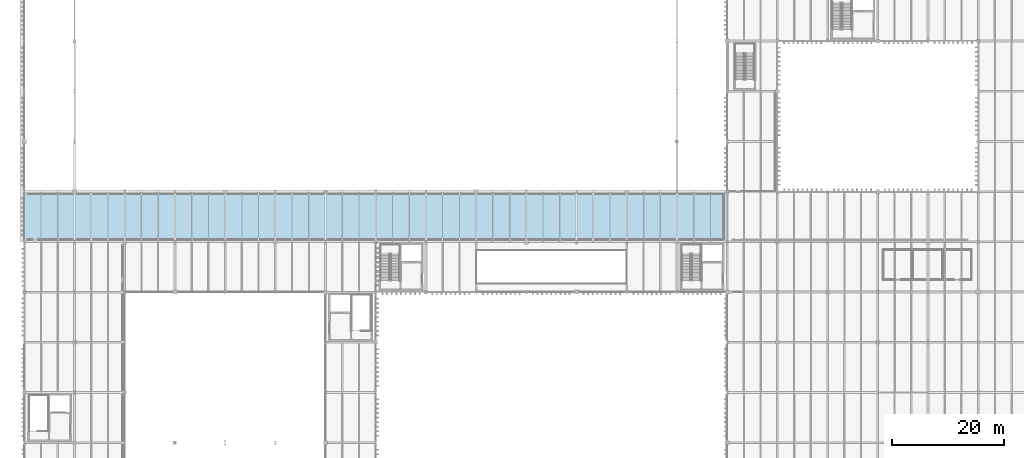
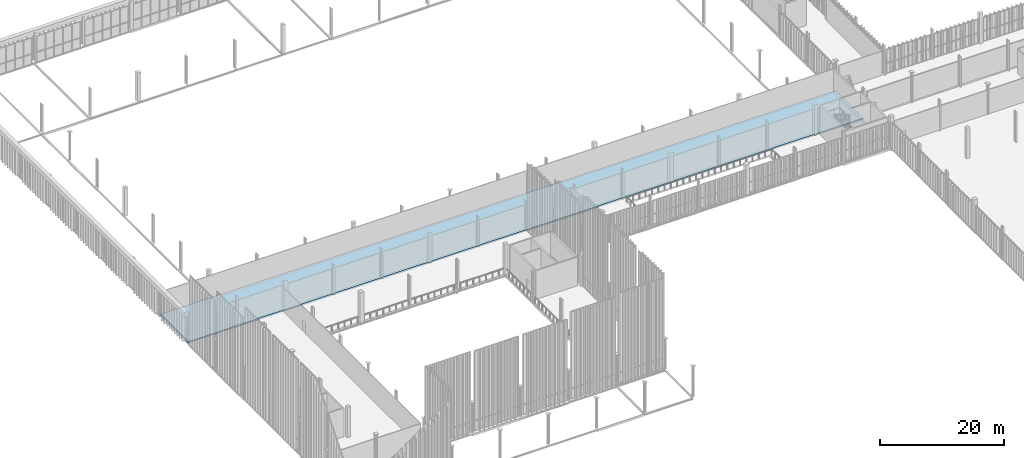
# One storey, part 184 of 237: 1 slab.
"""IFC4 building model written with IfcOpenShell, lengths in metres."""

from ifc_helpers import new_model, si_unit, direction, frame, origin, place, context, subcontext, project, spatial, polyline, outline, extrude, material, layer, layer_set, type_object, element, save


model = new_model("IFC4")

# Units and contexts
model_context = context("Model", 3, precision=1e-05, world=origin(), true_north=direction((0.0, 1.0)))
body_context = subcontext(model_context, "Body", "Model", "MODEL_VIEW")
ifc_project = project(units=[si_unit("LENGTHUNIT", "METRE"), si_unit("AREAUNIT", "SQUARE_METRE"), si_unit("VOLUMEUNIT", "CUBIC_METRE"), si_unit("PLANEANGLEUNIT", "RADIAN"), si_unit("MASSUNIT", "GRAM", prefix="KILO")], contexts=[model_context])

# Site, building, storey
site_placement = place(None, origin())
site = spatial("IfcSite", under=ifc_project, at=site_placement, CompositionType="ELEMENT")
building_placement = place(site_placement, origin())
building = spatial("IfcBuilding", under=site, at=building_placement, Name="Barlavento Convention Centre", CompositionType="ELEMENT")
storey_placement = place(building_placement, frame((0.0, 0.0, 12.0)))
storey = spatial("IfcBuildingStorey", under=building, at=storey_placement, Name="L02", CompositionType="ELEMENT", Elevation=12.0)

# Slab
ifc_material = material(Name="Concrete C40/50", Category="concrete")
ifc_layer = layer(ifc_material, 0.280029296875)
ifc_layer_set = layer_set([ifc_layer], Name="STR-SLB-FLR-280")
slab_type = type_object("IfcSlabType", Name="STR-SLB-FLR-280", PredefinedType="FLOOR", material=ifc_layer_set)
slab_placement = place(storey_placement, frame((0.0, 0.0, -0.280029296875)))
element("IfcSlab", 1, at=slab_placement, inside=storey, type_object=slab_type, Name="L02 structural slab FS-203", PredefinedType="FLOOR", context=body_context, shape_type="SweptSolid", body=[
    extrude(outline(polyline([(0.0, 54.0), (126.0, 54.0), (126.0, 63.0), (0.0, 63.0), (0.0, 54.0)])), origin(), (0.0, 0.0, 1.0), 0.280029296875),
])

save(model, "model.ifc")
